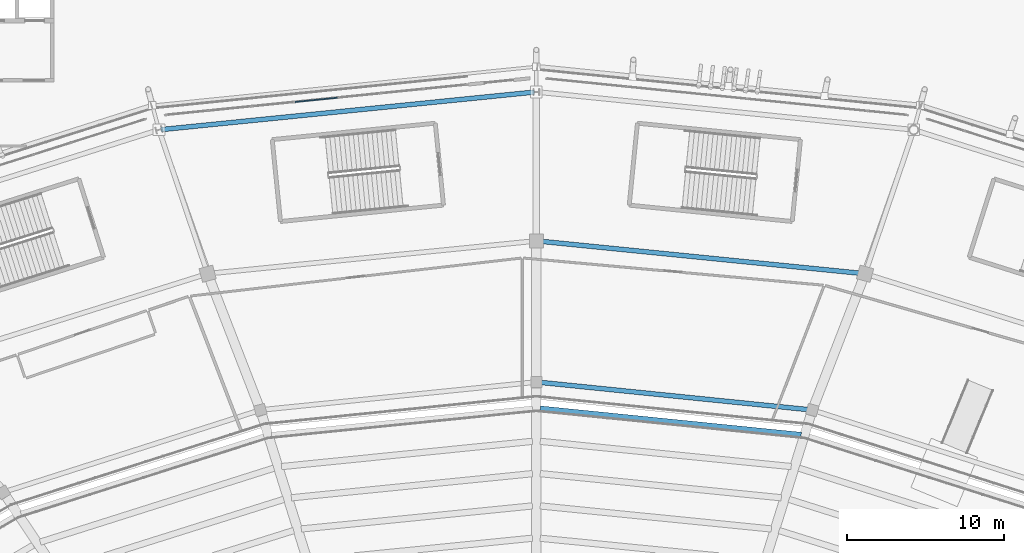
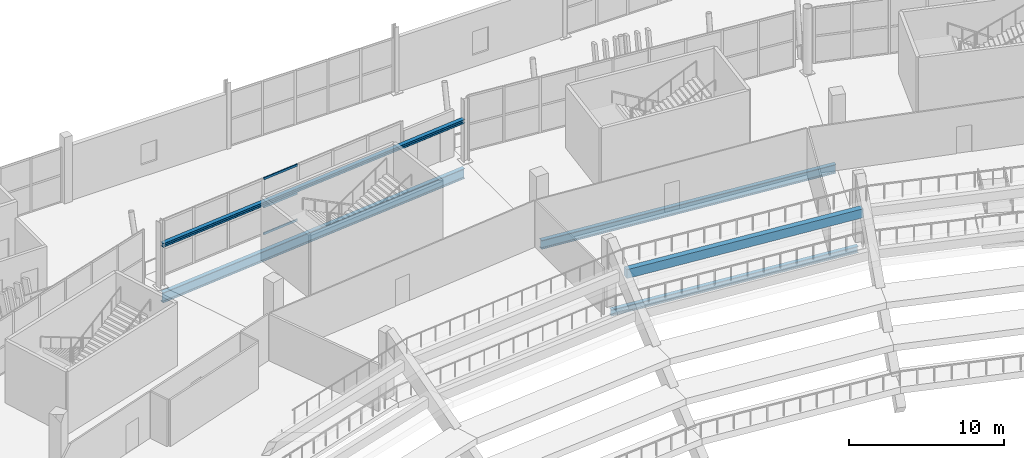
# One storey, part 75 of 178: 5 beams, 3 members, 1 element without a shape of its own.
"""IFC4 building model written with IfcOpenShell, lengths in metres."""

from ifc_helpers import new_model, si_unit, direction, frame, origin, origin_2d, place, context, subcontext, project, spatial, rectangle, i_section, extrude, material, material_profile, profile_set, type_object, element, aggregate, save


model = new_model("IFC4")

# Units and contexts
model_context = context("Model", 3, precision=1e-05, world=origin(), true_north=direction((0.0, 1.0)))
body_context = subcontext(model_context, "Body", "Model", "MODEL_VIEW")
ifc_project = project(units=[si_unit("LENGTHUNIT", "METRE"), si_unit("AREAUNIT", "SQUARE_METRE"), si_unit("VOLUMEUNIT", "CUBIC_METRE"), si_unit("PLANEANGLEUNIT", "RADIAN"), si_unit("MASSUNIT", "GRAM", prefix="KILO")], contexts=[model_context])

# Site, building, storey
site_placement = place(None, origin())
site = spatial("IfcSite", under=ifc_project, at=site_placement, CompositionType="ELEMENT")
building_placement = place(site_placement, origin())
building = spatial("IfcBuilding", under=site, at=building_placement, Name="Zlatoyarsky Gate Stadium", CompositionType="ELEMENT")
storey_placement = place(building_placement, frame((0.0, 0.0, 5.39990234375)))
storey = spatial("IfcBuildingStorey", under=building, at=storey_placement, Name="L01", CompositionType="ELEMENT", Elevation=5.39990234375)

# Curtain wall, members
ifc_material_1 = material(Name="Thermally broken anodised aluminium curtain wall", Category="aluminium")
curtain_wall_type = type_object("IfcCurtainWallType", Name="MONUMENTAL ARCHED GATE GLAZING LOWER", PredefinedType="USERDEFINED", material=ifc_material_1)
curtain_wall_placement = place(storey_placement, origin())
curtain_wall = element("IfcCurtainWall", 1, at=curtain_wall_placement, inside=storey, type_object=curtain_wall_type, Name="Curtain wall CW-L01-06", ObjectType="ARCHED GATE GLAZING", PredefinedType="USERDEFINED")
ifc_material_2 = material(Name="Anodised aluminium 6063-T6", Category="aluminium")
ifc_material_profile_1 = material_profile(ifc_material_2, rectangle(XDim=0.074951171875, YDim=0.169921875, at=origin_2d()), Name="ALU 75X170")
ifc_profile_set_1 = profile_set([ifc_material_profile_1], Name="Anodised aluminium 6063-T6")
member_type = type_object("IfcMemberType", Name="ALUMINIUM GATE TRANSOM 75X170", PredefinedType="USERDEFINED", material=ifc_profile_set_1)
member_1_placement = place(storey_placement, frame((98.293212890625, 150.627685546875, 0.03759765625), z_axis=(-0.994953149133, -0.100340575193, 0.0), x_axis=(0.100340575193, -0.994953149133, 0.0)))
member_1 = element("IfcMember", 2, at=member_1_placement, type_object=member_type, Name="CW-AG1 transom 4.1", ObjectType="TRANSOM", PredefinedType="USERDEFINED", context=body_context, shape_type="SweptSolid", body=[
    extrude(rectangle(XDim=0.074951171875, YDim=0.169921875, at=origin_2d()), origin(), (0.0, 0.0, 1.0), 2.686279296875),
])
member_2_placement = place(storey_placement, frame((98.293212890625, 150.627685546875, 2.150146484375), z_axis=(-0.994953149133, -0.100340575193, 0.0), x_axis=(0.100340575193, -0.994953149133, 0.0)))
member_2 = element("IfcMember", 3, at=member_2_placement, type_object=member_type, Name="CW-AG1 transom 4.2", ObjectType="TRANSOM", PredefinedType="USERDEFINED", context=body_context, shape_type="SweptSolid", body=[
    extrude(rectangle(XDim=0.074951171875, YDim=0.169921875, at=origin_2d()), origin(), (0.0, 0.0, 1.0), 2.686279296875),
])
member_3_placement = place(storey_placement, frame((98.293212890625, 150.627685546875, 4.362548828125), z_axis=(-0.994953149133, -0.100340575193, 0.0), x_axis=(0.100340575193, -0.994953149133, 0.0)))
member_3 = element("IfcMember", 4, at=member_3_placement, type_object=member_type, Name="CW-AG1 transom 4.3", ObjectType="TRANSOM", PredefinedType="USERDEFINED", context=body_context, shape_type="SweptSolid", body=[
    extrude(rectangle(XDim=0.074951171875, YDim=0.169921875, at=origin_2d()), origin(), (0.0, 0.0, 1.0), 2.686279296875),
])
aggregate(curtain_wall, [member_1, member_2, member_3])

# Beams
ifc_material_3 = material(Name="Concrete C40/50", Category="concrete")
ifc_material_profile_2 = material_profile(ifc_material_3, rectangle(XDim=0.39990234375, YDim=0.699951171875, at=origin_2d()), Name="RC BEAM 400X700")
ifc_profile_set_2 = profile_set([ifc_material_profile_2], Name="Concrete C40/50")
beam_type_1 = type_object("IfcBeamType", Name="CONCRETE FLOOR BEAM 400X700", PredefinedType="BEAM", material=ifc_profile_set_2)
beam_1_placement = place(storey_placement, frame((127.885009765625, 129.093994140625, 3.380126953125), z_axis=(-0.994934312971, 0.100527174794, 0.0), x_axis=(-0.100527174794, -0.994934312971, 0.0)))
element("IfcBeam", 5, at=beam_1_placement, inside=storey, type_object=beam_type_1, Name="Lower bowl step tie beam 05.5", PredefinedType="BEAM", context=body_context, shape_type="SweptSolid", body=[
    extrude(rectangle(XDim=0.39990234375, YDim=0.699951171875, at=origin_2d()), origin(), (0.0, 0.0, 1.0), 16.720947265625),
])
ifc_material_4 = material(Name="Steel S355", Category="steel")
ifc_material_profile_3 = material_profile(ifc_material_4, i_section(OverallWidth=0.300048828125, OverallDepth=0.300048828125, WebThickness=0.010986328125, FlangeThickness=0.01904296875, FilletRadius=0.027099609375, at=origin_2d()), Name="HEB 300")
ifc_profile_set_3 = profile_set([ifc_material_profile_3], Name="Steel S355")
beam_type_2 = type_object("IfcBeamType", Name="STEEL GATE LINTEL HEB 300", PredefinedType="LINTEL", material=ifc_profile_set_3)
beam_2_placement = place(storey_placement, frame((110.880615234375, 150.988037109375, 3.25), z_axis=(-0.994986905268, -0.100005291586, 0.0), x_axis=(0.100005291586, -0.994986905268, 0.0)))
element("IfcBeam", 6, at=beam_2_placement, inside=storey, type_object=beam_type_2, Name="Beam LN-HEB300 BM-L01-LNT-06", PredefinedType="LINTEL", context=body_context, shape_type="SweptSolid", body=[
    extrude(i_section(OverallWidth=0.300048828125, OverallDepth=0.300048828125, WebThickness=0.010986328125, FlangeThickness=0.01904296875, FilletRadius=0.027099609375, at=origin_2d()), origin(), (0.0, 0.0, 1.0), 23.951416015625),
])
ifc_material_profile_4 = material_profile(ifc_material_4, i_section(OverallWidth=0.300048828125, OverallDepth=0.5, WebThickness=0.014404296875, FlangeThickness=0.028076171875, FilletRadius=0.027099609375, at=origin_2d()), Name="HEB 500")
ifc_profile_set_4 = profile_set([ifc_material_profile_4], Name="Steel S355")
beam_type_3 = type_object("IfcBeamType", Name="STEEL PRIMARY GIRDER HEB 500", PredefinedType="BEAM", material=ifc_profile_set_4)
beam_3_placement = place(storey_placement, frame((128.480224609375, 130.72314453125, -0.7099609375), z_axis=(-0.994873800639, 0.101124283941, 0.0), x_axis=(-0.101124283941, -0.994873800639, 0.0)))
element("IfcBeam", 7, at=beam_3_placement, inside=storey, type_object=beam_type_3, Name="Beam G-HEB500 BM-L01-CRA-05", PredefinedType="BEAM", context=body_context, shape_type="SweptSolid", body=[
    extrude(i_section(OverallWidth=0.300048828125, OverallDepth=0.5, WebThickness=0.014404296875, FlangeThickness=0.028076171875, FilletRadius=0.027099609375, at=origin_2d()), origin(), (0.0, 0.0, 1.0), 17.4501953125),
])
ifc_material_profile_5 = material_profile(ifc_material_4, i_section(OverallWidth=0.300048828125, OverallDepth=0.699951171875, WebThickness=0.01708984375, FlangeThickness=0.031982421875, FilletRadius=0.027099609375, at=origin_2d()), Name="HEB 700")
ifc_profile_set_5 = profile_set([ifc_material_profile_5], Name="Steel S355")
beam_type_4 = type_object("IfcBeamType", Name="STEEL PRIMARY GIRDER HEB 700", PredefinedType="BEAM", material=ifc_profile_set_5)
beam_4_placement = place(storey_placement, frame((131.844970703125, 139.416259765625, -0.809814453125), z_axis=(-0.995040903182, 0.099466582298, 0.0), x_axis=(-0.099466582298, -0.995040903182, 0.0)))
element("IfcBeam", 8, at=beam_4_placement, inside=storey, type_object=beam_type_4, Name="Beam G-HEB700 BM-L01-CRB-05", PredefinedType="BEAM", context=body_context, shape_type="SweptSolid", body=[
    extrude(i_section(OverallWidth=0.300048828125, OverallDepth=0.699951171875, WebThickness=0.01708984375, FlangeThickness=0.031982421875, FilletRadius=0.027099609375, at=origin_2d()), origin(), (0.0, 0.0, 1.0), 20.828857421875),
])
ifc_material_profile_6 = material_profile(ifc_material_4, i_section(OverallWidth=0.300048828125, OverallDepth=0.800048828125, WebThickness=0.017578125, FlangeThickness=0.032958984375, FilletRadius=0.030029296875, at=origin_2d()), Name="HEB 800")
ifc_profile_set_6 = profile_set([ifc_material_profile_6], Name="Steel S355")
beam_type_5 = type_object("IfcBeamType", Name="STEEL PRIMARY GIRDER HEB 800", PredefinedType="BEAM", material=ifc_profile_set_6)
beam_5_placement = place(storey_placement, frame((110.880615234375, 150.988037109375, -0.85986328125), z_axis=(-0.994986905268, -0.100005291586, 0.0), x_axis=(0.100005291586, -0.994986905268, 0.0)))
element("IfcBeam", 9, at=beam_5_placement, inside=storey, type_object=beam_type_5, Name="Beam G-HEB800 BM-L01-CRC-06", PredefinedType="BEAM", context=body_context, shape_type="SweptSolid", body=[
    extrude(i_section(OverallWidth=0.300048828125, OverallDepth=0.800048828125, WebThickness=0.017578125, FlangeThickness=0.032958984375, FilletRadius=0.030029296875, at=origin_2d()), origin(), (0.0, 0.0, 1.0), 23.951416015625),
])

save(model, "model.ifc")
